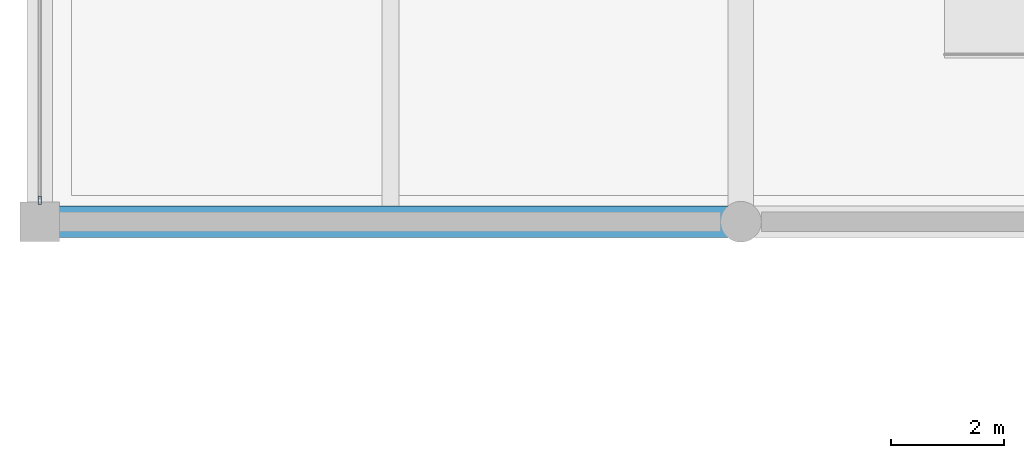
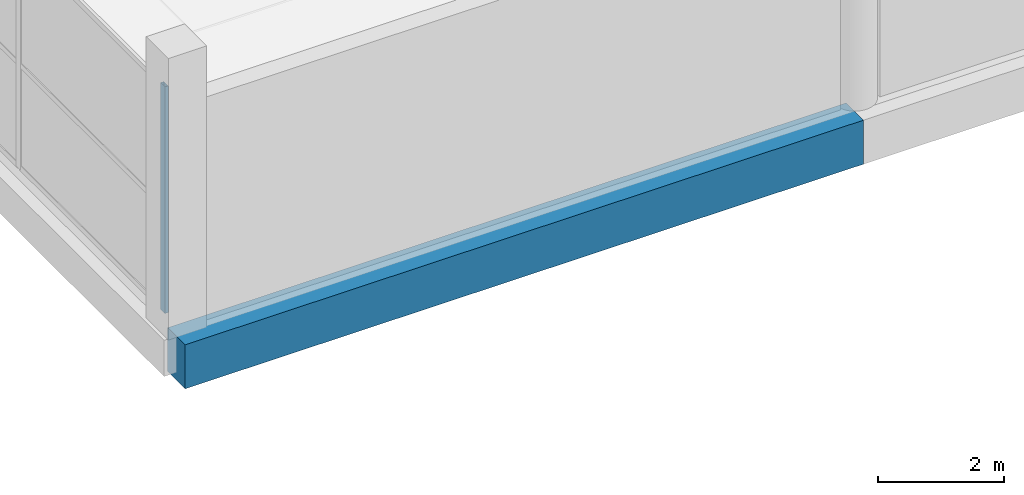
# One storey, part 12 of 72: 1 beam, 1 member, 1 element without a shape of its own.
"""IFC4 building model written with IfcOpenShell, lengths in metres."""

from ifc_helpers import new_model, si_unit, direction, frame, origin, origin_2d, place, context, subcontext, project, spatial, rectangle, hollow_rectangle, extrude, material, layer, layer_set, material_profile, profile_set, type_object, element, aggregate, save


model = new_model("IFC4")

# Units and contexts
model_context = context("Model", 3, precision=1e-05, world=origin(), true_north=direction((0.0, 1.0)))
body_context = subcontext(model_context, "Body", "Model", "MODEL_VIEW")
ifc_project = project(units=[si_unit("LENGTHUNIT", "METRE"), si_unit("AREAUNIT", "SQUARE_METRE"), si_unit("VOLUMEUNIT", "CUBIC_METRE"), si_unit("PLANEANGLEUNIT", "RADIAN"), si_unit("MASSUNIT", "GRAM", prefix="KILO")], contexts=[model_context])

# Site, building, storey
site_placement = place(None, origin())
site = spatial("IfcSite", under=ifc_project, at=site_placement, CompositionType="ELEMENT")
building_placement = place(site_placement, origin())
building = spatial("IfcBuilding", under=site, at=building_placement, Name="Sillaruma Civic Art Gallery", CompositionType="ELEMENT")
storey_placement = place(building_placement, frame((0.0, 0.0, 10.8798828125)))
storey = spatial("IfcBuildingStorey", under=building, at=storey_placement, Name="L02", CompositionType="ELEMENT", Elevation=10.8798828125)

# Beam
ifc_material_1 = material(Name="Concrete H40 (40 MPa)", Category="concrete")
ifc_material_profile_1 = material_profile(ifc_material_1, rectangle(XDim=0.550048828125, YDim=0.85009765625, at=origin_2d()), Name="RCB550x850")
ifc_profile_set_1 = profile_set([ifc_material_profile_1], Name="Concrete H40 (40 MPa)")
beam_type = type_object("IfcBeamType", Name="BM-BEAM-RCB550x850", PredefinedType="BEAM", material=ifc_profile_set_1)
beam_placement = place(storey_placement, frame((0.0, 79.199951171875, -0.684814453125), z_axis=(1.0, 0.0, 0.0), x_axis=(0.0, 1.0, 0.0)))
element("IfcBeam", 1, at=beam_placement, inside=storey, type_object=beam_type, Name="Beam BM-01 (L01:9:A-B)", PredefinedType="BEAM", context=body_context, shape_type="SweptSolid", body=[
    extrude(rectangle(XDim=0.550048828125, YDim=0.85009765625, at=origin_2d()), origin(), (0.0, 0.0, 1.0), 12.39990234375),
])

# Curtain wall, member
ifc_material_2 = material(Name="Thermally Broken Extruded Aluminium 6063-T6", Category="aluminium")
ifc_layer = layer(ifc_material_2, 0.139892578125, Name="Thermally Broken Extruded Aluminium 6063-T6")
ifc_layer_set = layer_set([ifc_layer], Name="Thermally Broken Extruded Aluminium 6063-T6")
curtain_wall_type = type_object("IfcCurtainWallType", Name="CW-UNI-08", PredefinedType="NOTDEFINED", material=ifc_layer_set)
curtain_wall_placement = place(storey_placement, origin())
curtain_wall = element("IfcCurtainWall", 2, at=curtain_wall_placement, inside=storey, type_object=curtain_wall_type, Name="Unitised Curtain Wall CW-08 (CW-L02-WSTR-1)", PredefinedType="NOTDEFINED")
ifc_material_profile_2 = material_profile(ifc_material_2, hollow_rectangle(XDim=0.06005859375, YDim=0.139892578125, WallThickness=0.00341796875, at=origin_2d()), Name="CWM60x140")
ifc_profile_set_2 = profile_set([ifc_material_profile_2], Name="Thermally Broken Extruded Aluminium 6063-T6")
member_type = type_object("IfcMemberType", Name="MEM-MUL-CWM60x140", PredefinedType="MULLION", material=ifc_profile_set_2)
member_placement = place(storey_placement, frame((0.0, 79.580078125, 0.0), z_axis=(0.0, 0.0, 1.0), x_axis=(-1.0, 0.0, 0.0)))
member = element("IfcMember", 3, at=member_placement, type_object=member_type, Name="CW-08 mullion 1", PredefinedType="MULLION", context=body_context, shape_type="SweptSolid", body=[
    extrude(hollow_rectangle(XDim=0.06005859375, YDim=0.139892578125, WallThickness=0.00341796875, at=origin_2d()), origin(), (0.0, 0.0, 1.0), 4.380126953125),
])
aggregate(curtain_wall, [member])

save(model, "model.ifc")
